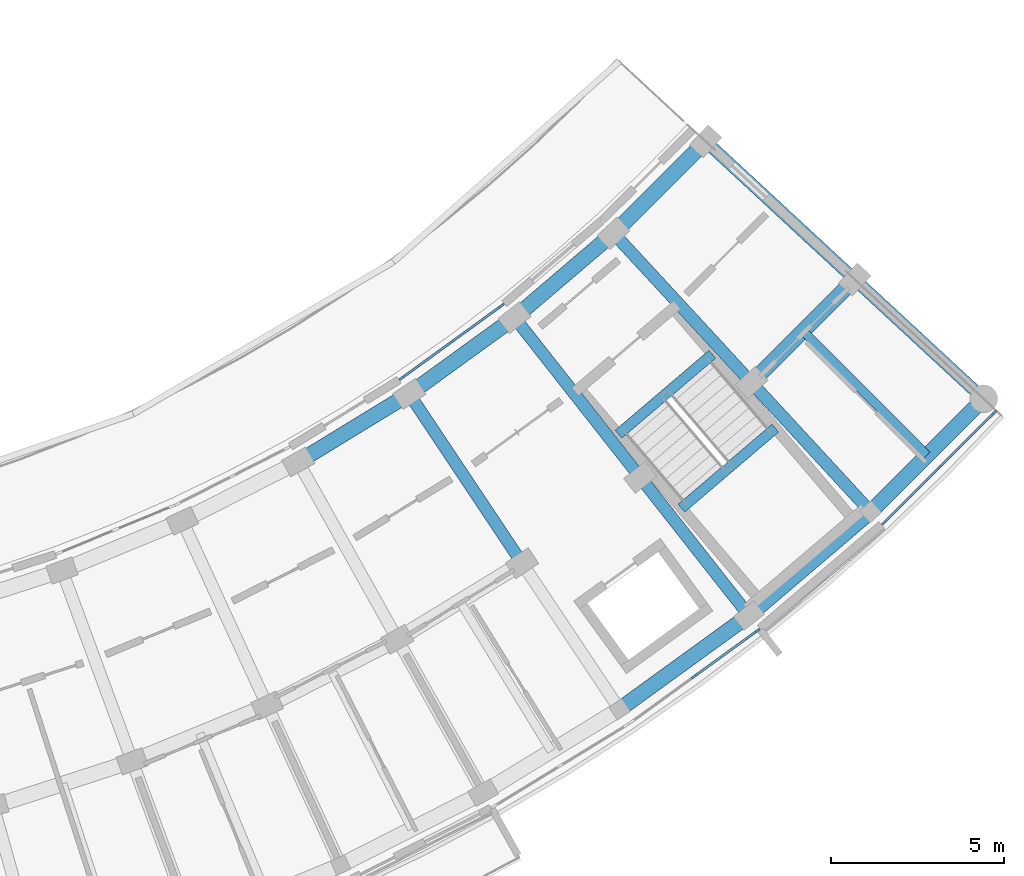
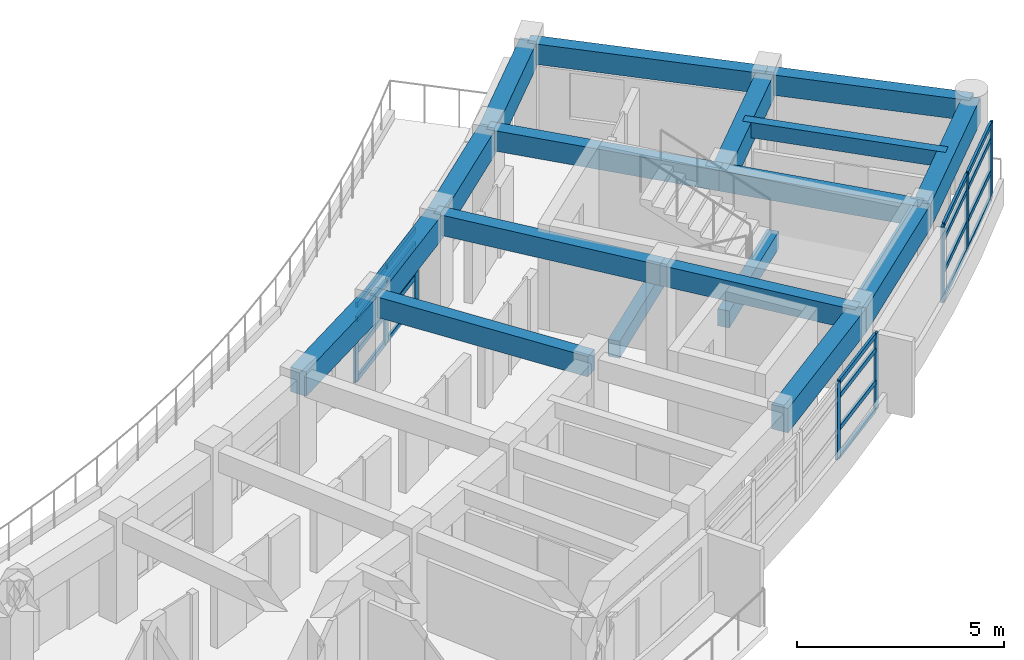
# One storey, part 19 of 54: 28 members, 18 beams, 3 elements without a shape of their own.
"""IFC4 building model written with IfcOpenShell, lengths in metres."""

from ifc_helpers import new_model, si_unit, direction, frame, origin, origin_2d, place, context, subcontext, project, spatial, rectangle, extrude, material, material_profile, profile_set, type_object, element, aggregate, save


model = new_model("IFC4")

# Units and contexts
model_context = context("Model", 3, precision=1e-05, world=origin(), true_north=direction((0.0, 1.0)))
body_context = subcontext(model_context, "Body", "Model", "MODEL_VIEW")
ifc_project = project(units=[si_unit("LENGTHUNIT", "METRE"), si_unit("AREAUNIT", "SQUARE_METRE"), si_unit("VOLUMEUNIT", "CUBIC_METRE"), si_unit("PLANEANGLEUNIT", "RADIAN"), si_unit("MASSUNIT", "GRAM", prefix="KILO")], contexts=[model_context])

# Site, building, storey
site_placement = place(None, origin())
site = spatial("IfcSite", under=ifc_project, at=site_placement, CompositionType="ELEMENT")
building_placement = place(site_placement, origin())
building = spatial("IfcBuilding", under=site, at=building_placement, Name="Zimvara Arc Housing Community", CompositionType="ELEMENT")
storey_placement = place(building_placement, frame((0.0, 0.0, 20.5)))
storey = spatial("IfcBuildingStorey", under=building, at=storey_placement, Name="L06", CompositionType="ELEMENT", Elevation=20.5)

# Beams
ifc_material_1 = material(Name="Concrete C40/50", Category="concrete")
ifc_material_profile_1 = material_profile(ifc_material_1, rectangle(XDim=0.25, YDim=0.449951171875, at=origin_2d()), Name="RC 250x450")
ifc_profile_set_1 = profile_set([ifc_material_profile_1], Name="Concrete C40/50")
beam_type_1 = type_object("IfcBeamType", Name="BM-RC-250x450", PredefinedType="JOIST", material=ifc_profile_set_1)
beam_1_placement = place(storey_placement, frame((163.959716796875, 71.813720703125, 2.635009765625), z_axis=(0.706529394337, -0.707683696956, 0.0), x_axis=(0.707683696956, 0.706529394337, 0.0)))
element("IfcBeam", 1, at=beam_1_placement, inside=storey, type_object=beam_type_1, Name="bm:blkD:L06:joist:b9", PredefinedType="JOIST", context=body_context, shape_type="SweptSolid", body=[
    extrude(rectangle(XDim=0.25, YDim=0.449951171875, at=origin_2d()), origin(), (0.0, 0.0, 1.0), 5.076171875),
])
ifc_material_2 = material(Name="Concrete C40/50", Category="concrete")
ifc_material_profile_2 = material_profile(ifc_material_2, rectangle(XDim=0.300048828125, YDim=0.5, at=origin_2d()), Name="RC 300x500")
ifc_profile_set_2 = profile_set([ifc_material_profile_2], Name="Concrete C40/50")
beam_type_2 = type_object("IfcBeamType", Name="BM-RC-300x500", PredefinedType="BEAM", material=ifc_profile_set_2)
for number, where, z_axis, x_axis, name in (
    (2, (158.617919921875, 68.826904296875, -0.25), (0.760986863652, 0.648767287515, 0.0), (-0.648767287515, 0.760986863652, 0.0), "bm:stair_trim:ST-D2:L06:near"),
    (3, (160.439697265625, 66.690185546875, 1.300048828125), (0.760986863652, 0.648767287515, 0.0), (-0.648767287515, 0.760986863652, 0.0), "bm:stair_trim:ST-D2:L06:mid"),
):
    element("IfcBeam", number, at=place(storey_placement, frame(where, z_axis=z_axis, x_axis=x_axis)), inside=storey, type_object=beam_type_2, Name=name, PredefinedType="BEAM", context=body_context, shape_type="SweptSolid", body=[
        extrude(rectangle(XDim=0.300048828125, YDim=0.5, at=origin_2d()), origin(), (0.0, 0.0, 1.0), 3.570068359375),
    ])
ifc_material_3 = material(Name="Concrete C40/50", Category="concrete")
ifc_material_profile_3 = material_profile(ifc_material_3, rectangle(XDim=0.35009765625, YDim=0.60009765625, at=origin_2d()), Name="RC 350x600")
ifc_profile_set_3 = profile_set([ifc_material_profile_3], Name="Concrete C40/50")
beam_type_3 = type_object("IfcBeamType", Name="BM-RC-350x600", PredefinedType="BEAM", material=ifc_profile_set_3)
beam_2_placement = place(storey_placement, frame((152.568115234375, 69.99267578125, 2.56005859375), z_axis=(0.554843914175, -0.831954464441, 0.0), x_axis=(0.831954464441, 0.554843914175, 0.0)))
element("IfcBeam", 4, at=beam_2_placement, inside=storey, type_object=beam_type_3, Name="bm:blkD:L06:rad:b7:r12", PredefinedType="BEAM", context=body_context, shape_type="SweptSolid", body=[
    extrude(rectangle(XDim=0.35009765625, YDim=0.60009765625, at=origin_2d()), origin(), (0.0, 0.0, 1.0), 5.8798828125),
])
beam_3_placement = place(storey_placement, frame((155.614013671875, 72.20166015625, 2.56005859375), z_axis=(0.618431976389, -0.785838336161, 0.0), x_axis=(0.785838336161, 0.618431976389, 0.0)))
element("IfcBeam", 5, at=beam_3_placement, inside=storey, type_object=beam_type_3, Name="bm:blkD:L06:rad:b8:r12", PredefinedType="BEAM", context=body_context, shape_type="SweptSolid", body=[
    extrude(rectangle(XDim=0.35009765625, YDim=0.60009765625, at=origin_2d()), origin(), (0.0, 0.0, 1.0), 5.880126953125),
])
beam_4_placement = place(storey_placement, frame((159.25048828125, 67.580810546875, 2.56005859375), z_axis=(0.618409338539, -0.785856150964, 0.0), x_axis=(0.785856150964, 0.618409338539, 0.0)))
element("IfcBeam", 6, at=beam_4_placement, inside=storey, type_object=beam_type_3, Name="bm:blkD:L06:rad:b8:r23", PredefinedType="BEAM", context=body_context, shape_type="SweptSolid", body=[
    extrude(rectangle(XDim=0.35009765625, YDim=0.60009765625, at=origin_2d()), origin(), (0.0, 0.0, 1.0), 5.079833984375),
])
beam_5_placement = place(storey_placement, frame((158.477294921875, 74.642822265625, 2.56005859375), z_axis=(0.678180078146, -0.734895762409, 0.0), x_axis=(0.734895762409, 0.678180078146, 0.0)))
element("IfcBeam", 7, at=beam_5_placement, inside=storey, type_object=beam_type_3, Name="bm:blkD:L06:rad:b9:r12", PredefinedType="BEAM", context=body_context, shape_type="SweptSolid", body=[
    extrude(rectangle(XDim=0.35009765625, YDim=0.60009765625, at=origin_2d()), origin(), (0.0, 0.0, 1.0), 5.880126953125),
])
beam_6_placement = place(storey_placement, frame((162.465087890625, 70.321533203125, 2.56005859375), z_axis=(0.678158334116, -0.734915827744, 0.0), x_axis=(0.734915827744, 0.678158334116, 0.0)))
element("IfcBeam", 8, at=beam_6_placement, inside=storey, type_object=beam_type_3, Name="bm:blkD:L06:rad:b9:r23", PredefinedType="BEAM", context=body_context, shape_type="SweptSolid", body=[
    extrude(rectangle(XDim=0.35009765625, YDim=0.60009765625, at=origin_2d()), origin(), (0.0, 0.0, 1.0), 5.080078125),
])
beam_7_placement = place(storey_placement, frame((161.140380859375, 77.30126953125, 2.56005859375), z_axis=(0.733720040868, -0.679451912668, 0.0), x_axis=(0.679451912668, 0.733720040868, 0.0)))
element("IfcBeam", 9, at=beam_7_placement, inside=storey, type_object=beam_type_3, Name="bm:blkD:L06:rad:b10:r12", PredefinedType="BEAM", context=body_context, shape_type="SweptSolid", body=[
    extrude(rectangle(XDim=0.35009765625, YDim=0.60009765625, at=origin_2d()), origin(), (0.0, 0.0, 1.0), 5.8798828125),
])
beam_8_placement = place(storey_placement, frame((165.45458984375, 73.30615234375, 2.56005859375), z_axis=(0.733737603291, -0.679432947035, 0.0), x_axis=(0.679432947035, 0.733737603291, 0.0)))
element("IfcBeam", 10, at=beam_8_placement, inside=storey, type_object=beam_type_3, Name="bm:blkD:L06:rad:b10:r23", PredefinedType="BEAM", context=body_context, shape_type="SweptSolid", body=[
    extrude(rectangle(XDim=0.35009765625, YDim=0.60009765625, at=origin_2d()), origin(), (0.0, 0.0, 1.0), 5.080322265625),
])
ifc_material_4 = material(Name="Concrete C40/50", Category="concrete")
ifc_material_profile_4 = material_profile(ifc_material_4, rectangle(XDim=0.43994140625, YDim=0.719970703125, at=origin_2d()), Name="RC 440x720")
ifc_profile_set_4 = profile_set([ifc_material_profile_4], Name="Concrete C40/50")
beam_type_4 = type_object("IfcBeamType", Name="BM-RC-440x720", PredefinedType="BEAM", material=ifc_profile_set_4)
for number, where, z_axis, x_axis, name in (
    (11, (149.358154296875, 68.029541015625, 2.5), (0.853105356478, 0.521738680517, 0.0), (-0.521738680517, 0.853105356478, 0.0), "bm:blkD:L06:chord:r1:b6"),
    (12, (152.568115234375, 69.99267578125, 2.5), (0.809521012702, 0.58709090437, 0.0), (-0.58709090437, 0.809521012702, 0.0), "bm:blkD:L06:chord:r1:b7"),
    (13, (155.614013671875, 72.20166015625, 2.5), (0.760971502801, 0.648785304955, 0.0), (-0.648785304955, 0.760971502801, 0.0), "bm:blkD:L06:chord:r1:b8"),
):
    element("IfcBeam", number, at=place(storey_placement, frame(where, z_axis=z_axis, x_axis=x_axis)), inside=storey, type_object=beam_type_4, Name=name, PredefinedType="BEAM", context=body_context, shape_type="SweptSolid", body=[
        extrude(rectangle(XDim=0.43994140625, YDim=0.719970703125, at=origin_2d()), origin(), (0.0, 0.0, 1.0), 3.7626953125),
    ])
beam_9_placement = place(storey_placement, frame((158.477294921875, 74.642822265625, 2.5), z_axis=(0.707722882862, 0.706490142234, 0.0), x_axis=(-0.706490142234, 0.707722882862, 0.0)))
element("IfcBeam", 14, at=beam_9_placement, inside=storey, type_object=beam_type_4, Name="bm:blkD:L06:chord:r1:b9", PredefinedType="BEAM", context=body_context, shape_type="SweptSolid", body=[
    extrude(rectangle(XDim=0.43994140625, YDim=0.719970703125, at=origin_2d()), origin(), (0.0, 0.0, 1.0), 3.762939453125),
])
beam_10_placement = place(storey_placement, frame((162.465087890625, 70.321533203125, 2.5), z_axis=(0.707684482516, 0.706528607493, 0.0), x_axis=(-0.706528607493, 0.707684482516, 0.0)))
element("IfcBeam", 15, at=beam_10_placement, inside=storey, type_object=beam_type_4, Name="bm:blkD:L06:chord:r2:b9", PredefinedType="BEAM", context=body_context, shape_type="SweptSolid", body=[
    extrude(rectangle(XDim=0.43994140625, YDim=0.719970703125, at=origin_2d()), origin(), (0.0, 0.0, 1.0), 4.224365234375),
])
for number, where, z_axis, x_axis, name in (
    (16, (158.649169921875, 60.87451171875, 2.5), (0.809516329672, 0.587097361598, 0.0), (-0.587097361598, 0.809516329672, 0.0), "bm:blkD:L06:chord:r3:b7"),
    (17, (162.391845703125, 63.5888671875, 2.5), (0.761009534972, 0.648740693715, 0.0), (-0.648740693715, 0.761009534972, 0.0), "bm:blkD:L06:chord:r3:b8"),
    (18, (165.91015625, 66.588134765625, 2.5), (0.707713796096, 0.706499244738, 0.0), (-0.706499244738, 0.707713796096, 0.0), "bm:blkD:L06:chord:r3:b9"),
):
    element("IfcBeam", number, at=place(storey_placement, frame(where, z_axis=z_axis, x_axis=x_axis)), inside=storey, type_object=beam_type_4, Name=name, PredefinedType="BEAM", context=body_context, shape_type="SweptSolid", body=[
        extrude(rectangle(XDim=0.43994140625, YDim=0.719970703125, at=origin_2d()), origin(), (0.0, 0.0, 1.0), 4.623291015625),
    ])

# Curtain wall, members
ifc_material_5 = material(Name="Anodised Aluminium AW-6063", Category="aluminium")
curtain_wall_type_1 = type_object("IfcCurtainWallType", Name="CW-SYS-04", PredefinedType="USERDEFINED", material=ifc_material_5)
curtain_wall_1_placement = place(storey_placement, origin())
curtain_wall_1 = element("IfcCurtainWall", 19, at=curtain_wall_1_placement, inside=storey, type_object=curtain_wall_type_1, Name="cw:blkD:L06:out:b7", ObjectType="CURTAIN WALL", PredefinedType="USERDEFINED")
ifc_material_6 = material(Name="Anodised Aluminium AW-6063", Category="aluminium")
ifc_material_profile_5 = material_profile(ifc_material_6, rectangle(XDim=0.06494140625, YDim=0.179931640625, at=origin_2d()), Name="ALU 65x180")
ifc_profile_set_5 = profile_set([ifc_material_profile_5], Name="Anodised Aluminium AW-6063")
member_type_1 = type_object("IfcMemberType", Name="CWM-65x150", PredefinedType="MULLION", material=ifc_profile_set_5)
member_1_placement = place(storey_placement, frame((160.81396484375, 61.8271484375, 0.0), z_axis=(0.0, 0.0, 1.0), x_axis=(-0.587077917196, 0.809530431263, 0.0)))
member_1 = element("IfcMember", 20, at=member_1_placement, type_object=member_type_1, Name="CW04 mullion 2", PredefinedType="MULLION", context=body_context, shape_type="SweptSolid", body=[
    extrude(rectangle(XDim=0.06494140625, YDim=0.179931640625, at=origin_2d()), origin(), (0.0, 0.0, 1.0), 2.25),
])
member_2_placement = place(storey_placement, frame((162.626220703125, 63.1416015625, 0.0), z_axis=(0.0, 0.0, 1.0), x_axis=(-0.587077917196, 0.809530431263, 0.0)))
member_2 = element("IfcMember", 21, at=member_2_placement, type_object=member_type_1, Name="CW04 mullion 3", PredefinedType="MULLION", context=body_context, shape_type="SweptSolid", body=[
    extrude(rectangle(XDim=0.06494140625, YDim=0.179931640625, at=origin_2d()), origin(), (0.0, 0.0, 1.0), 2.25),
])

ifc_material_7 = material(Name="Anodised Aluminium AW-6063", Category="aluminium")
curtain_wall_type_2 = type_object("IfcCurtainWallType", Name="CW-SYS-06", PredefinedType="USERDEFINED", material=ifc_material_7)
curtain_wall_2_placement = place(storey_placement, origin())
curtain_wall_2 = element("IfcCurtainWall", 22, at=curtain_wall_2_placement, inside=storey, type_object=curtain_wall_type_2, Name="cw:blkD:L06:out:b9", ObjectType="CURTAIN WALL", PredefinedType="USERDEFINED")
member_3_placement = place(storey_placement, frame((166.314697265625, 66.2861328125, 0.0), z_axis=(0.0, 0.0, 1.0), x_axis=(-0.706489010891, 0.707724012233, 0.0)))
member_3 = element("IfcMember", 23, at=member_3_placement, type_object=member_type_1, Name="CW06 mullion 1", PredefinedType="MULLION", context=body_context, shape_type="SweptSolid", body=[
    extrude(rectangle(XDim=0.06494140625, YDim=0.179931640625, at=origin_2d()), origin(), (0.0, 0.0, 1.0), 2.25),
])
member_4_placement = place(storey_placement, frame((167.89892578125, 67.86767578125, 0.0), z_axis=(0.0, 0.0, 1.0), x_axis=(-0.706489010891, 0.707724012233, 0.0)))
member_4 = element("IfcMember", 24, at=member_4_placement, type_object=member_type_1, Name="CW06 mullion 2", PredefinedType="MULLION", context=body_context, shape_type="SweptSolid", body=[
    extrude(rectangle(XDim=0.06494140625, YDim=0.179931640625, at=origin_2d()), origin(), (0.0, 0.0, 1.0), 2.25),
])
member_5_placement = place(storey_placement, frame((169.4833984375, 69.449462890625, 0.0), z_axis=(0.0, 0.0, 1.0), x_axis=(-0.706489010891, 0.707724012233, 0.0)))
member_5 = element("IfcMember", 25, at=member_5_placement, type_object=member_type_1, Name="CW06 mullion 3", PredefinedType="MULLION", context=body_context, shape_type="SweptSolid", body=[
    extrude(rectangle(XDim=0.06494140625, YDim=0.179931640625, at=origin_2d()), origin(), (0.0, 0.0, 1.0), 2.25),
])

ifc_material_8 = material(Name="Anodised Aluminium AW-6063", Category="aluminium")
curtain_wall_type_3 = type_object("IfcCurtainWallType", Name="CW-SYS-05", PredefinedType="USERDEFINED", material=ifc_material_8)
curtain_wall_3_placement = place(storey_placement, origin())
curtain_wall_3 = element("IfcCurtainWall", 26, at=curtain_wall_3_placement, inside=storey, type_object=curtain_wall_type_3, Name="cw:blkD:L06:in:b7", ObjectType="CURTAIN WALL", PredefinedType="USERDEFINED")
ifc_material_9 = material(Name="Anodised Aluminium AW-6063", Category="aluminium")
ifc_material_profile_6 = material_profile(ifc_material_9, rectangle(XDim=0.06494140625, YDim=0.195068359375, at=origin_2d()), Name="ALU 65x195")
ifc_profile_set_6 = profile_set([ifc_material_profile_6], Name="Anodised Aluminium AW-6063")
member_type_2 = type_object("IfcMemberType", Name="CWM-65x180", PredefinedType="MULLION", material=ifc_profile_set_6)
member_6_placement = place(storey_placement, frame((152.365478515625, 70.463134765625, 0.0), z_axis=(0.0, 0.0, 1.0), x_axis=(-0.587078799564, 0.809529791362, 0.0)))
member_6 = element("IfcMember", 27, at=member_6_placement, type_object=member_type_2, Name="CW05 mullion 1", PredefinedType="MULLION", context=body_context, shape_type="SweptSolid", body=[
    extrude(rectangle(XDim=0.06494140625, YDim=0.195068359375, at=origin_2d()), origin(), (0.0, 0.0, 1.0), 2.25),
])
member_7_placement = place(storey_placement, frame((153.7978515625, 71.501708984375, 0.0), z_axis=(0.0, 0.0, 1.0), x_axis=(-0.587078799564, 0.809529791362, 0.0)))
member_7 = element("IfcMember", 28, at=member_7_placement, type_object=member_type_2, Name="CW05 mullion 2", PredefinedType="MULLION", context=body_context, shape_type="SweptSolid", body=[
    extrude(rectangle(XDim=0.06494140625, YDim=0.195068359375, at=origin_2d()), origin(), (0.0, 0.0, 1.0), 2.25),
])
member_8_placement = place(storey_placement, frame((155.22998046875, 72.540283203125, 0.0), z_axis=(0.0, 0.0, 1.0), x_axis=(-0.587078799564, 0.809529791362, 0.0)))
member_8 = element("IfcMember", 29, at=member_8_placement, type_object=member_type_2, Name="CW05 mullion 3", PredefinedType="MULLION", context=body_context, shape_type="SweptSolid", body=[
    extrude(rectangle(XDim=0.06494140625, YDim=0.195068359375, at=origin_2d()), origin(), (0.0, 0.0, 1.0), 2.25),
])

# Member
ifc_material_10 = material(Name="Anodised Aluminium AW-6063", Category="aluminium")
ifc_material_profile_7 = material_profile(ifc_material_10, rectangle(XDim=0.06494140625, YDim=0.139892578125, at=origin_2d()), Name="ALU 65x140")
ifc_profile_set_7 = profile_set([ifc_material_profile_7], Name="Anodised Aluminium AW-6063")
member_type_3 = type_object("IfcMemberType", Name="CWT-65x120", PredefinedType="USERDEFINED", material=ifc_profile_set_7)
member_9_placement = place(storey_placement, frame((160.840087890625, 61.84619140625, 0.032470703125), z_axis=(0.80954639163, 0.587055908581, 0.0), x_axis=(-0.587055908581, 0.80954639163, 0.0)))
member_9 = element("IfcMember", 30, at=member_9_placement, type_object=member_type_3, Name="CW04 transom 2.1", ObjectType="TRANSOM", PredefinedType="USERDEFINED", context=body_context, shape_type="SweptSolid", body=[
    extrude(rectangle(XDim=0.06494140625, YDim=0.139892578125, at=origin_2d()), origin(), (0.0, 0.0, 1.0), 2.173828125),
])

member_10_placement = place(storey_placement, frame((160.840087890625, 61.84619140625, 0.85009765625), z_axis=(0.80954639163, 0.587055908581, 0.0), x_axis=(-0.587055908581, 0.80954639163, 0.0)))
member_10 = element("IfcMember", 31, at=member_10_placement, type_object=member_type_3, Name="CW04 transom 2.2", ObjectType="TRANSOM", PredefinedType="USERDEFINED", context=body_context, shape_type="SweptSolid", body=[
    extrude(rectangle(XDim=0.06494140625, YDim=0.139892578125, at=origin_2d()), origin(), (0.0, 0.0, 1.0), 2.173828125),
])

member_11_placement = place(storey_placement, frame((160.840087890625, 61.84619140625, 1.800048828125), z_axis=(0.80954639163, 0.587055908581, 0.0), x_axis=(-0.587055908581, 0.80954639163, 0.0)))
member_11 = element("IfcMember", 32, at=member_11_placement, type_object=member_type_3, Name="CW04 transom 2.3", ObjectType="TRANSOM", PredefinedType="USERDEFINED", context=body_context, shape_type="SweptSolid", body=[
    extrude(rectangle(XDim=0.06494140625, YDim=0.139892578125, at=origin_2d()), origin(), (0.0, 0.0, 1.0), 2.173828125),
])

member_12_placement = place(storey_placement, frame((160.840087890625, 61.84619140625, 2.217529296875), z_axis=(0.80954639163, 0.587055908581, 0.0), x_axis=(-0.587055908581, 0.80954639163, 0.0)))
member_12 = element("IfcMember", 33, at=member_12_placement, type_object=member_type_3, Name="CW04 transom 2.4", ObjectType="TRANSOM", PredefinedType="USERDEFINED", context=body_context, shape_type="SweptSolid", body=[
    extrude(rectangle(XDim=0.06494140625, YDim=0.139892578125, at=origin_2d()), origin(), (0.0, 0.0, 1.0), 2.173828125),
])

aggregate(curtain_wall_1, [member_1, member_2, member_9, member_10, member_11, member_12])

member_13_placement = place(storey_placement, frame((166.337646484375, 66.30908203125, 0.032470703125), z_axis=(0.707724267801, 0.706488754875, 0.0), x_axis=(-0.706488754875, 0.707724267801, 0.0)))
member_13 = element("IfcMember", 34, at=member_13_placement, type_object=member_type_3, Name="CW06 transom 1.1", ObjectType="TRANSOM", PredefinedType="USERDEFINED", context=body_context, shape_type="SweptSolid", body=[
    extrude(rectangle(XDim=0.06494140625, YDim=0.139892578125, at=origin_2d()), origin(), (0.0, 0.0, 1.0), 2.173583984375),
])

member_14_placement = place(storey_placement, frame((166.337646484375, 66.30908203125, 0.85009765625), z_axis=(0.707724267801, 0.706488754875, 0.0), x_axis=(-0.706488754875, 0.707724267801, 0.0)))
member_14 = element("IfcMember", 35, at=member_14_placement, type_object=member_type_3, Name="CW06 transom 1.2", ObjectType="TRANSOM", PredefinedType="USERDEFINED", context=body_context, shape_type="SweptSolid", body=[
    extrude(rectangle(XDim=0.06494140625, YDim=0.139892578125, at=origin_2d()), origin(), (0.0, 0.0, 1.0), 2.173583984375),
])

member_15_placement = place(storey_placement, frame((166.337646484375, 66.30908203125, 1.800048828125), z_axis=(0.707724267801, 0.706488754875, 0.0), x_axis=(-0.706488754875, 0.707724267801, 0.0)))
member_15 = element("IfcMember", 36, at=member_15_placement, type_object=member_type_3, Name="CW06 transom 1.3", ObjectType="TRANSOM", PredefinedType="USERDEFINED", context=body_context, shape_type="SweptSolid", body=[
    extrude(rectangle(XDim=0.06494140625, YDim=0.139892578125, at=origin_2d()), origin(), (0.0, 0.0, 1.0), 2.173583984375),
])

member_16_placement = place(storey_placement, frame((166.337646484375, 66.30908203125, 2.217529296875), z_axis=(0.707724267801, 0.706488754875, 0.0), x_axis=(-0.706488754875, 0.707724267801, 0.0)))
member_16 = element("IfcMember", 37, at=member_16_placement, type_object=member_type_3, Name="CW06 transom 1.4", ObjectType="TRANSOM", PredefinedType="USERDEFINED", context=body_context, shape_type="SweptSolid", body=[
    extrude(rectangle(XDim=0.06494140625, YDim=0.139892578125, at=origin_2d()), origin(), (0.0, 0.0, 1.0), 2.173583984375),
])

member_17_placement = place(storey_placement, frame((167.922119140625, 67.890625, 0.032470703125), z_axis=(0.707668110429, 0.706545005985, 0.0), x_axis=(-0.706545005985, 0.707668110429, 0.0)))
member_17 = element("IfcMember", 38, at=member_17_placement, type_object=member_type_3, Name="CW06 transom 2.1", ObjectType="TRANSOM", PredefinedType="USERDEFINED", context=body_context, shape_type="SweptSolid", body=[
    extrude(rectangle(XDim=0.06494140625, YDim=0.139892578125, at=origin_2d()), origin(), (0.0, 0.0, 1.0), 2.173828125),
])

member_18_placement = place(storey_placement, frame((167.922119140625, 67.890625, 0.85009765625), z_axis=(0.707668110429, 0.706545005985, 0.0), x_axis=(-0.706545005985, 0.707668110429, 0.0)))
member_18 = element("IfcMember", 39, at=member_18_placement, type_object=member_type_3, Name="CW06 transom 2.2", ObjectType="TRANSOM", PredefinedType="USERDEFINED", context=body_context, shape_type="SweptSolid", body=[
    extrude(rectangle(XDim=0.06494140625, YDim=0.139892578125, at=origin_2d()), origin(), (0.0, 0.0, 1.0), 2.173828125),
])

member_19_placement = place(storey_placement, frame((167.922119140625, 67.890625, 1.800048828125), z_axis=(0.707668110429, 0.706545005985, 0.0), x_axis=(-0.706545005985, 0.707668110429, 0.0)))
member_19 = element("IfcMember", 40, at=member_19_placement, type_object=member_type_3, Name="CW06 transom 2.3", ObjectType="TRANSOM", PredefinedType="USERDEFINED", context=body_context, shape_type="SweptSolid", body=[
    extrude(rectangle(XDim=0.06494140625, YDim=0.139892578125, at=origin_2d()), origin(), (0.0, 0.0, 1.0), 2.173828125),
])

member_20_placement = place(storey_placement, frame((167.922119140625, 67.890625, 2.217529296875), z_axis=(0.707668110429, 0.706545005985, 0.0), x_axis=(-0.706545005985, 0.707668110429, 0.0)))
member_20 = element("IfcMember", 41, at=member_20_placement, type_object=member_type_3, Name="CW06 transom 2.4", ObjectType="TRANSOM", PredefinedType="USERDEFINED", context=body_context, shape_type="SweptSolid", body=[
    extrude(rectangle(XDim=0.06494140625, YDim=0.139892578125, at=origin_2d()), origin(), (0.0, 0.0, 1.0), 2.173828125),
])

aggregate(curtain_wall_2, [member_3, member_4, member_5, member_13, member_14, member_15, member_16, member_17, member_18, member_19, member_20])

ifc_material_11 = material(Name="Anodised Aluminium AW-6063", Category="aluminium")
ifc_material_profile_8 = material_profile(ifc_material_11, rectangle(XDim=0.06494140625, YDim=0.155029296875, at=origin_2d()), Name="ALU 65x155")
ifc_profile_set_8 = profile_set([ifc_material_profile_8], Name="Anodised Aluminium AW-6063")
member_type_4 = type_object("IfcMemberType", Name="CWT-65x140", PredefinedType="USERDEFINED", material=ifc_profile_set_8)
member_21_placement = place(storey_placement, frame((152.391845703125, 70.482177734375, 0.032470703125), z_axis=(0.809540658241, 0.587063814806, 0.0), x_axis=(-0.587063814806, 0.809540658241, 0.0)))
member_21 = element("IfcMember", 42, at=member_21_placement, type_object=member_type_4, Name="CW05 transom 1.1", ObjectType="TRANSOM", PredefinedType="USERDEFINED", context=body_context, shape_type="SweptSolid", body=[
    extrude(rectangle(XDim=0.06494140625, YDim=0.155029296875, at=origin_2d()), origin(), (0.0, 0.0, 1.0), 1.704345703125),
])

member_22_placement = place(storey_placement, frame((152.391845703125, 70.482177734375, 0.85009765625), z_axis=(0.809540658241, 0.587063814806, 0.0), x_axis=(-0.587063814806, 0.809540658241, 0.0)))
member_22 = element("IfcMember", 43, at=member_22_placement, type_object=member_type_4, Name="CW05 transom 1.2", ObjectType="TRANSOM", PredefinedType="USERDEFINED", context=body_context, shape_type="SweptSolid", body=[
    extrude(rectangle(XDim=0.06494140625, YDim=0.155029296875, at=origin_2d()), origin(), (0.0, 0.0, 1.0), 1.704345703125),
])

member_23_placement = place(storey_placement, frame((152.391845703125, 70.482177734375, 1.800048828125), z_axis=(0.809540658241, 0.587063814806, 0.0), x_axis=(-0.587063814806, 0.809540658241, 0.0)))
member_23 = element("IfcMember", 44, at=member_23_placement, type_object=member_type_4, Name="CW05 transom 1.3", ObjectType="TRANSOM", PredefinedType="USERDEFINED", context=body_context, shape_type="SweptSolid", body=[
    extrude(rectangle(XDim=0.06494140625, YDim=0.155029296875, at=origin_2d()), origin(), (0.0, 0.0, 1.0), 1.704345703125),
])

member_24_placement = place(storey_placement, frame((152.391845703125, 70.482177734375, 2.217529296875), z_axis=(0.809540658241, 0.587063814806, 0.0), x_axis=(-0.587063814806, 0.809540658241, 0.0)))
member_24 = element("IfcMember", 45, at=member_24_placement, type_object=member_type_4, Name="CW05 transom 1.4", ObjectType="TRANSOM", PredefinedType="USERDEFINED", context=body_context, shape_type="SweptSolid", body=[
    extrude(rectangle(XDim=0.06494140625, YDim=0.155029296875, at=origin_2d()), origin(), (0.0, 0.0, 1.0), 1.704345703125),
])

member_25_placement = place(storey_placement, frame((153.82421875, 71.520751953125, 0.032470703125), z_axis=(0.80949127728, 0.587131903415, 0.0), x_axis=(-0.587131903415, 0.80949127728, 0.0)))
member_25 = element("IfcMember", 46, at=member_25_placement, type_object=member_type_4, Name="CW05 transom 2.1", ObjectType="TRANSOM", PredefinedType="USERDEFINED", context=body_context, shape_type="SweptSolid", body=[
    extrude(rectangle(XDim=0.06494140625, YDim=0.155029296875, at=origin_2d()), origin(), (0.0, 0.0, 1.0), 1.7041015625),
])

member_26_placement = place(storey_placement, frame((153.82421875, 71.520751953125, 0.85009765625), z_axis=(0.80949127728, 0.587131903415, 0.0), x_axis=(-0.587131903415, 0.80949127728, 0.0)))
member_26 = element("IfcMember", 47, at=member_26_placement, type_object=member_type_4, Name="CW05 transom 2.2", ObjectType="TRANSOM", PredefinedType="USERDEFINED", context=body_context, shape_type="SweptSolid", body=[
    extrude(rectangle(XDim=0.06494140625, YDim=0.155029296875, at=origin_2d()), origin(), (0.0, 0.0, 1.0), 1.7041015625),
])

member_27_placement = place(storey_placement, frame((153.82421875, 71.520751953125, 1.800048828125), z_axis=(0.80949127728, 0.587131903415, 0.0), x_axis=(-0.587131903415, 0.80949127728, 0.0)))
member_27 = element("IfcMember", 48, at=member_27_placement, type_object=member_type_4, Name="CW05 transom 2.3", ObjectType="TRANSOM", PredefinedType="USERDEFINED", context=body_context, shape_type="SweptSolid", body=[
    extrude(rectangle(XDim=0.06494140625, YDim=0.155029296875, at=origin_2d()), origin(), (0.0, 0.0, 1.0), 1.7041015625),
])

member_28_placement = place(storey_placement, frame((153.82421875, 71.520751953125, 2.217529296875), z_axis=(0.80949127728, 0.587131903415, 0.0), x_axis=(-0.587131903415, 0.80949127728, 0.0)))
member_28 = element("IfcMember", 49, at=member_28_placement, type_object=member_type_4, Name="CW05 transom 2.4", ObjectType="TRANSOM", PredefinedType="USERDEFINED", context=body_context, shape_type="SweptSolid", body=[
    extrude(rectangle(XDim=0.06494140625, YDim=0.155029296875, at=origin_2d()), origin(), (0.0, 0.0, 1.0), 1.7041015625),
])

aggregate(curtain_wall_3, [member_6, member_7, member_8, member_21, member_22, member_23, member_24, member_25, member_26, member_27, member_28])

save(model, "model.ifc")
